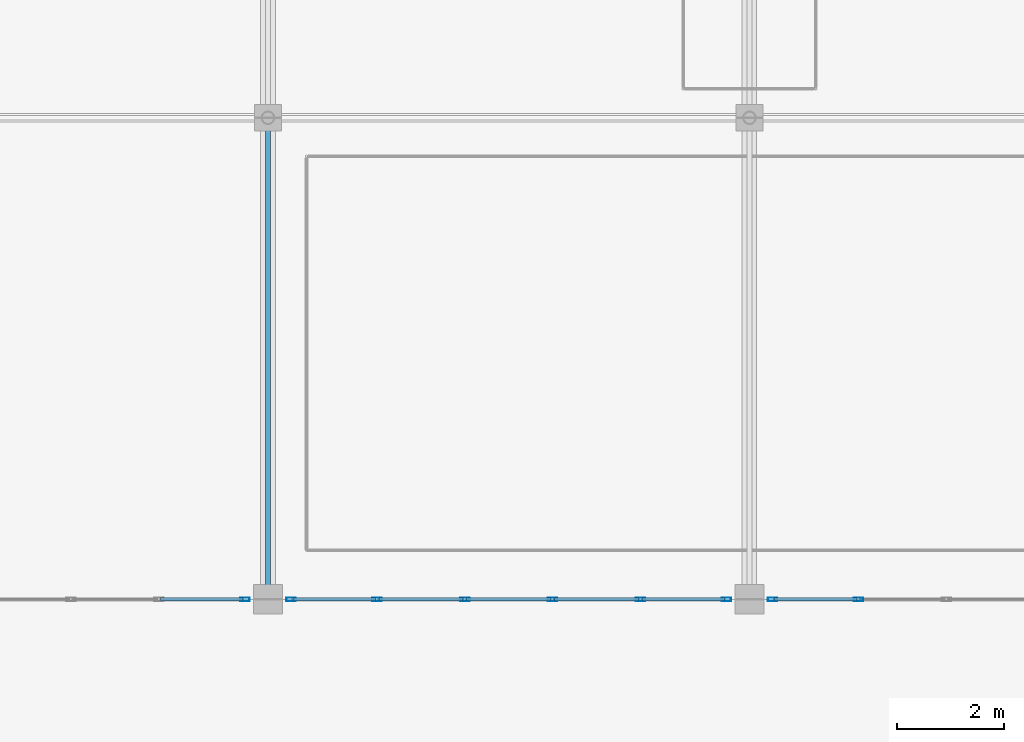
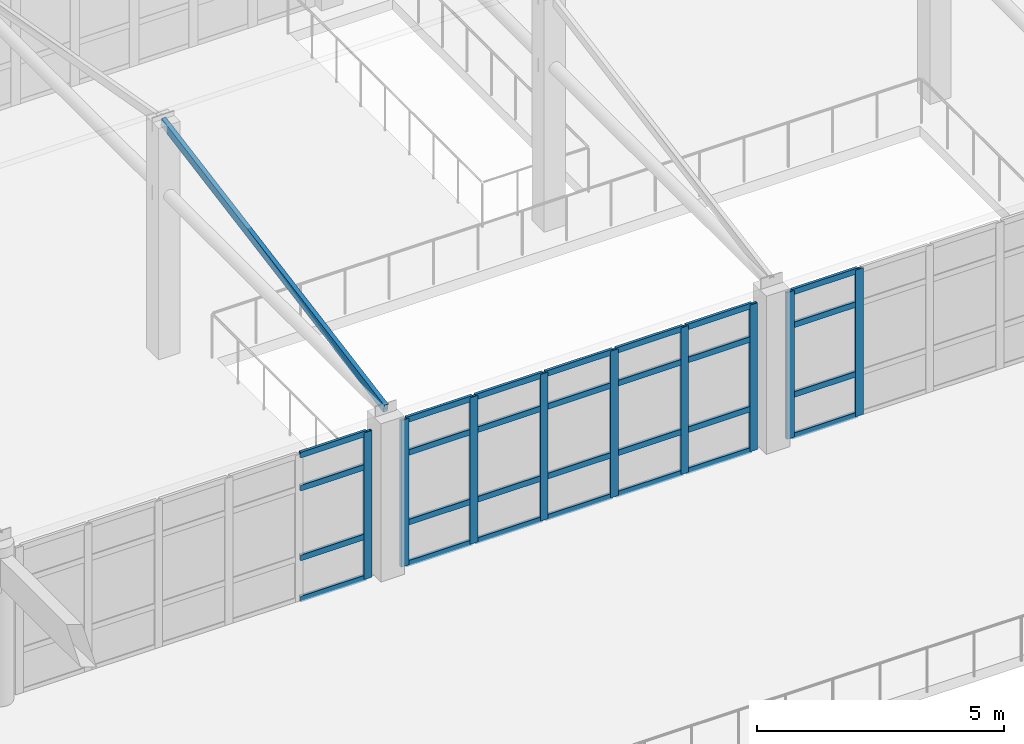
# One storey, part 59 of 156: 38 members, 3 elements without a shape of their own.
"""IFC4 building model written with IfcOpenShell, lengths in metres."""

from ifc_helpers import new_model, si_unit, direction, frame, origin, origin_2d, place, context, subcontext, project, spatial, hollow_rectangle, extrude, material, layer, layer_set, material_profile, profile_set, type_object, element, aggregate, save


model = new_model("IFC4")

# Units and contexts
model_context = context("Model", 3, precision=1e-05, world=origin(), true_north=direction((0.0, 1.0)))
body_context = subcontext(model_context, "Body", "Model", "MODEL_VIEW")
ifc_project = project(units=[si_unit("LENGTHUNIT", "METRE"), si_unit("AREAUNIT", "SQUARE_METRE"), si_unit("VOLUMEUNIT", "CUBIC_METRE"), si_unit("PLANEANGLEUNIT", "RADIAN"), si_unit("MASSUNIT", "GRAM", prefix="KILO")], contexts=[model_context])

# Site, building, storey
site_placement = place(None, origin())
site = spatial("IfcSite", under=ifc_project, at=site_placement, CompositionType="ELEMENT")
building_placement = place(site_placement, origin())
building = spatial("IfcBuilding", under=site, at=building_placement, Name="Ornek Quay Market", CompositionType="ELEMENT")
storey_placement = place(building_placement, frame((0.0, 0.0, 4.5)))
storey = spatial("IfcBuildingStorey", under=building, at=storey_placement, Name="L01", CompositionType="ELEMENT", Elevation=4.5)

# Curtain wall, member
ifc_material_1 = material(Name="Anodised bronze aluminium and triple low-e glass", Category="aluminium")
ifc_layer = layer(ifc_material_1, 0.139892578125, Name="Anodised bronze aluminium and triple low-e glass", Category="aluminium")
ifc_layer_set = layer_set([ifc_layer], Name="Anodised bronze aluminium and triple low-e glass")
curtain_wall_type = type_object("IfcCurtainWallType", Name="CW-GALLERY-INT", PredefinedType="USERDEFINED", material=ifc_layer_set)
curtain_wall_1_placement = place(storey_placement, origin())
curtain_wall_1 = element("IfcCurtainWall", 1, at=curtain_wall_1_placement, inside=storey, type_object=curtain_wall_type, Name="Curtain wall CW-128", ObjectType="CURTAIN WALL", PredefinedType="USERDEFINED")
ifc_material_2 = material(Name="Anodised aluminium 6063-T6", Category="aluminium")
ifc_material_profile_1 = material_profile(ifc_material_2, hollow_rectangle(XDim=0.06494140625, YDim=0.179931640625, WallThickness=0.00439453125, at=origin_2d()), Name="CW-MUL-65x180", Category="aluminium")
ifc_profile_set_1 = profile_set([ifc_material_profile_1], Name="Anodised aluminium 6063-T6")
member_type_1 = type_object("IfcMemberType", Name="CW-MUL-65x180", PredefinedType="MULLION", material=ifc_profile_set_1)
member_1_placement = place(storey_placement, frame((80.5673828125, 92.0, 0.0), z_axis=(0.0, 0.0, 1.0), x_axis=(0.0, 1.0, 0.0)))
member_1 = element("IfcMember", 2, at=member_1_placement, type_object=member_type_1, Name="CW-128 mullion 6", PredefinedType="MULLION", context=body_context, shape_type="SweptSolid", body=[
    extrude(hollow_rectangle(XDim=0.06494140625, YDim=0.179931640625, WallThickness=0.00439453125, at=origin_2d()), origin(), (0.0, 0.0, 1.0), 3.6201171875),
])

# Curtain wall, members
curtain_wall_2_placement = place(storey_placement, origin())
curtain_wall_2 = element("IfcCurtainWall", 3, at=curtain_wall_2_placement, inside=storey, type_object=curtain_wall_type, Name="Curtain wall CW-129", ObjectType="CURTAIN WALL", PredefinedType="USERDEFINED")
member_2_placement = place(storey_placement, frame((81.4326171875, 92.0, 0.0), z_axis=(0.0, 0.0, 1.0), x_axis=(0.0, 1.0, 0.0)))
member_2 = element("IfcMember", 4, at=member_2_placement, type_object=member_type_1, Name="CW-129 mullion 1", PredefinedType="MULLION", context=body_context, shape_type="SweptSolid", body=[
    extrude(hollow_rectangle(XDim=0.06494140625, YDim=0.179931640625, WallThickness=0.00439453125, at=origin_2d()), origin(), (0.0, 0.0, 1.0), 3.6201171875),
])
member_3_placement = place(storey_placement, frame((83.0400390625, 92.0, 0.0), z_axis=(0.0, 0.0, 1.0), x_axis=(0.0, 1.0, 0.0)))
member_3 = element("IfcMember", 5, at=member_3_placement, type_object=member_type_1, Name="CW-129 mullion 2", PredefinedType="MULLION", context=body_context, shape_type="SweptSolid", body=[
    extrude(hollow_rectangle(XDim=0.06494140625, YDim=0.179931640625, WallThickness=0.00439453125, at=origin_2d()), origin(), (0.0, 0.0, 1.0), 3.6201171875),
])
member_4_placement = place(storey_placement, frame((84.679931640625, 92.0, 0.0), z_axis=(0.0, 0.0, 1.0), x_axis=(0.0, 1.0, 0.0)))
member_4 = element("IfcMember", 6, at=member_4_placement, type_object=member_type_1, Name="CW-129 mullion 3", PredefinedType="MULLION", context=body_context, shape_type="SweptSolid", body=[
    extrude(hollow_rectangle(XDim=0.06494140625, YDim=0.179931640625, WallThickness=0.00439453125, at=origin_2d()), origin(), (0.0, 0.0, 1.0), 3.6201171875),
])
member_5_placement = place(storey_placement, frame((86.320068359375, 92.0, 0.0), z_axis=(0.0, 0.0, 1.0), x_axis=(0.0, 1.0, 0.0)))
member_5 = element("IfcMember", 7, at=member_5_placement, type_object=member_type_1, Name="CW-129 mullion 4", PredefinedType="MULLION", context=body_context, shape_type="SweptSolid", body=[
    extrude(hollow_rectangle(XDim=0.06494140625, YDim=0.179931640625, WallThickness=0.00439453125, at=origin_2d()), origin(), (0.0, 0.0, 1.0), 3.6201171875),
])
member_6_placement = place(storey_placement, frame((87.9599609375, 92.0, 0.0), z_axis=(0.0, 0.0, 1.0), x_axis=(0.0, 1.0, 0.0)))
member_6 = element("IfcMember", 8, at=member_6_placement, type_object=member_type_1, Name="CW-129 mullion 5", PredefinedType="MULLION", context=body_context, shape_type="SweptSolid", body=[
    extrude(hollow_rectangle(XDim=0.06494140625, YDim=0.179931640625, WallThickness=0.00439453125, at=origin_2d()), origin(), (0.0, 0.0, 1.0), 3.6201171875),
])
member_7_placement = place(storey_placement, frame((89.5673828125, 92.0, 0.0), z_axis=(0.0, 0.0, 1.0), x_axis=(0.0, 1.0, 0.0)))
member_7 = element("IfcMember", 9, at=member_7_placement, type_object=member_type_1, Name="CW-129 mullion 6", PredefinedType="MULLION", context=body_context, shape_type="SweptSolid", body=[
    extrude(hollow_rectangle(XDim=0.06494140625, YDim=0.179931640625, WallThickness=0.00439453125, at=origin_2d()), origin(), (0.0, 0.0, 1.0), 3.6201171875),
])

curtain_wall_3_placement = place(storey_placement, origin())
curtain_wall_3 = element("IfcCurtainWall", 10, at=curtain_wall_3_placement, inside=storey, type_object=curtain_wall_type, Name="Curtain wall CW-130", ObjectType="CURTAIN WALL", PredefinedType="USERDEFINED")
member_8_placement = place(storey_placement, frame((90.4326171875, 92.0, 0.0), z_axis=(0.0, 0.0, 1.0), x_axis=(0.0, 1.0, 0.0)))
member_8 = element("IfcMember", 11, at=member_8_placement, type_object=member_type_1, Name="CW-130 mullion 1", PredefinedType="MULLION", context=body_context, shape_type="SweptSolid", body=[
    extrude(hollow_rectangle(XDim=0.06494140625, YDim=0.179931640625, WallThickness=0.00439453125, at=origin_2d()), origin(), (0.0, 0.0, 1.0), 3.6201171875),
])
member_9_placement = place(storey_placement, frame((92.0400390625, 92.0, 0.0), z_axis=(0.0, 0.0, 1.0), x_axis=(0.0, 1.0, 0.0)))
member_9 = element("IfcMember", 12, at=member_9_placement, type_object=member_type_1, Name="CW-130 mullion 2", PredefinedType="MULLION", context=body_context, shape_type="SweptSolid", body=[
    extrude(hollow_rectangle(XDim=0.06494140625, YDim=0.179931640625, WallThickness=0.00439453125, at=origin_2d()), origin(), (0.0, 0.0, 1.0), 3.6201171875),
])

# Member
ifc_material_profile_2 = material_profile(ifc_material_2, hollow_rectangle(XDim=0.06494140625, YDim=0.139892578125, WallThickness=0.00439453125, at=origin_2d()), Name="CW-TRN-65x140", Category="aluminium")
ifc_profile_set_2 = profile_set([ifc_material_profile_2], Name="Anodised aluminium 6063-T6")
member_type_2 = type_object("IfcMemberType", Name="CW-TRN-65x140", PredefinedType="USERDEFINED", material=ifc_profile_set_2)
member_10_placement = place(storey_placement, frame((78.992431640625, 92.0, 0.032470703125), z_axis=(1.0, 0.0, 0.0), x_axis=(0.0, 1.0, 0.0)))
member_10 = element("IfcMember", 13, at=member_10_placement, type_object=member_type_2, Name="CW-128 transom 5.1", ObjectType="TRANSOM", PredefinedType="USERDEFINED", context=body_context, shape_type="SweptSolid", body=[
    extrude(hollow_rectangle(XDim=0.06494140625, YDim=0.139892578125, WallThickness=0.00439453125, at=origin_2d()), origin(), (0.0, 0.0, 1.0), 1.54248046875),
])

member_11_placement = place(storey_placement, frame((78.992431640625, 92.0, 1.050048828125), z_axis=(1.0, 0.0, 0.0), x_axis=(0.0, 1.0, 0.0)))
member_11 = element("IfcMember", 14, at=member_11_placement, type_object=member_type_2, Name="CW-128 transom 5.2", ObjectType="TRANSOM", PredefinedType="USERDEFINED", context=body_context, shape_type="SweptSolid", body=[
    extrude(hollow_rectangle(XDim=0.06494140625, YDim=0.139892578125, WallThickness=0.00439453125, at=origin_2d()), origin(), (0.0, 0.0, 1.0), 1.54248046875),
])

member_12_placement = place(storey_placement, frame((78.992431640625, 92.0, 2.77001953125), z_axis=(1.0, 0.0, 0.0), x_axis=(0.0, 1.0, 0.0)))
member_12 = element("IfcMember", 15, at=member_12_placement, type_object=member_type_2, Name="CW-128 transom 5.3", ObjectType="TRANSOM", PredefinedType="USERDEFINED", context=body_context, shape_type="SweptSolid", body=[
    extrude(hollow_rectangle(XDim=0.06494140625, YDim=0.139892578125, WallThickness=0.00439453125, at=origin_2d()), origin(), (0.0, 0.0, 1.0), 1.54248046875),
])

member_13_placement = place(storey_placement, frame((78.992431640625, 92.0, 3.58740234375), z_axis=(1.0, 0.0, 0.0), x_axis=(0.0, 1.0, 0.0)))
member_13 = element("IfcMember", 16, at=member_13_placement, type_object=member_type_2, Name="CW-128 transom 5.4", ObjectType="TRANSOM", PredefinedType="USERDEFINED", context=body_context, shape_type="SweptSolid", body=[
    extrude(hollow_rectangle(XDim=0.06494140625, YDim=0.139892578125, WallThickness=0.00439453125, at=origin_2d()), origin(), (0.0, 0.0, 1.0), 1.54248046875),
])

aggregate(curtain_wall_1, [member_1, member_10, member_11, member_12, member_13])

member_14_placement = place(storey_placement, frame((81.465087890625, 92.0, 0.032470703125), z_axis=(1.0, 0.0, 0.0), x_axis=(0.0, 1.0, 0.0)))
member_14 = element("IfcMember", 17, at=member_14_placement, type_object=member_type_2, Name="CW-129 transom 1.1", ObjectType="TRANSOM", PredefinedType="USERDEFINED", context=body_context, shape_type="SweptSolid", body=[
    extrude(hollow_rectangle(XDim=0.06494140625, YDim=0.139892578125, WallThickness=0.00439453125, at=origin_2d()), origin(), (0.0, 0.0, 1.0), 1.54248046875),
])

member_15_placement = place(storey_placement, frame((81.465087890625, 92.0, 1.050048828125), z_axis=(1.0, 0.0, 0.0), x_axis=(0.0, 1.0, 0.0)))
member_15 = element("IfcMember", 18, at=member_15_placement, type_object=member_type_2, Name="CW-129 transom 1.2", ObjectType="TRANSOM", PredefinedType="USERDEFINED", context=body_context, shape_type="SweptSolid", body=[
    extrude(hollow_rectangle(XDim=0.06494140625, YDim=0.139892578125, WallThickness=0.00439453125, at=origin_2d()), origin(), (0.0, 0.0, 1.0), 1.54248046875),
])

member_16_placement = place(storey_placement, frame((81.465087890625, 92.0, 2.77001953125), z_axis=(1.0, 0.0, 0.0), x_axis=(0.0, 1.0, 0.0)))
member_16 = element("IfcMember", 19, at=member_16_placement, type_object=member_type_2, Name="CW-129 transom 1.3", ObjectType="TRANSOM", PredefinedType="USERDEFINED", context=body_context, shape_type="SweptSolid", body=[
    extrude(hollow_rectangle(XDim=0.06494140625, YDim=0.139892578125, WallThickness=0.00439453125, at=origin_2d()), origin(), (0.0, 0.0, 1.0), 1.54248046875),
])

member_17_placement = place(storey_placement, frame((81.465087890625, 92.0, 3.58740234375), z_axis=(1.0, 0.0, 0.0), x_axis=(0.0, 1.0, 0.0)))
member_17 = element("IfcMember", 20, at=member_17_placement, type_object=member_type_2, Name="CW-129 transom 1.4", ObjectType="TRANSOM", PredefinedType="USERDEFINED", context=body_context, shape_type="SweptSolid", body=[
    extrude(hollow_rectangle(XDim=0.06494140625, YDim=0.139892578125, WallThickness=0.00439453125, at=origin_2d()), origin(), (0.0, 0.0, 1.0), 1.54248046875),
])

member_18_placement = place(storey_placement, frame((83.072509765625, 92.0, 0.032470703125), z_axis=(1.0, 0.0, 0.0), x_axis=(0.0, 1.0, 0.0)))
member_18 = element("IfcMember", 21, at=member_18_placement, type_object=member_type_2, Name="CW-129 transom 2.1", ObjectType="TRANSOM", PredefinedType="USERDEFINED", context=body_context, shape_type="SweptSolid", body=[
    extrude(hollow_rectangle(XDim=0.06494140625, YDim=0.139892578125, WallThickness=0.00439453125, at=origin_2d()), origin(), (0.0, 0.0, 1.0), 1.574951171875),
])

member_19_placement = place(storey_placement, frame((83.072509765625, 92.0, 1.050048828125), z_axis=(1.0, 0.0, 0.0), x_axis=(0.0, 1.0, 0.0)))
member_19 = element("IfcMember", 22, at=member_19_placement, type_object=member_type_2, Name="CW-129 transom 2.2", ObjectType="TRANSOM", PredefinedType="USERDEFINED", context=body_context, shape_type="SweptSolid", body=[
    extrude(hollow_rectangle(XDim=0.06494140625, YDim=0.139892578125, WallThickness=0.00439453125, at=origin_2d()), origin(), (0.0, 0.0, 1.0), 1.574951171875),
])

member_20_placement = place(storey_placement, frame((83.072509765625, 92.0, 2.77001953125), z_axis=(1.0, 0.0, 0.0), x_axis=(0.0, 1.0, 0.0)))
member_20 = element("IfcMember", 23, at=member_20_placement, type_object=member_type_2, Name="CW-129 transom 2.3", ObjectType="TRANSOM", PredefinedType="USERDEFINED", context=body_context, shape_type="SweptSolid", body=[
    extrude(hollow_rectangle(XDim=0.06494140625, YDim=0.139892578125, WallThickness=0.00439453125, at=origin_2d()), origin(), (0.0, 0.0, 1.0), 1.574951171875),
])

member_21_placement = place(storey_placement, frame((83.072509765625, 92.0, 3.58740234375), z_axis=(1.0, 0.0, 0.0), x_axis=(0.0, 1.0, 0.0)))
member_21 = element("IfcMember", 24, at=member_21_placement, type_object=member_type_2, Name="CW-129 transom 2.4", ObjectType="TRANSOM", PredefinedType="USERDEFINED", context=body_context, shape_type="SweptSolid", body=[
    extrude(hollow_rectangle(XDim=0.06494140625, YDim=0.139892578125, WallThickness=0.00439453125, at=origin_2d()), origin(), (0.0, 0.0, 1.0), 1.574951171875),
])

member_22_placement = place(storey_placement, frame((84.71240234375, 92.0, 0.032470703125), z_axis=(1.0, 0.0, 0.0), x_axis=(0.0, 1.0, 0.0)))
member_22 = element("IfcMember", 25, at=member_22_placement, type_object=member_type_2, Name="CW-129 transom 3.1", ObjectType="TRANSOM", PredefinedType="USERDEFINED", context=body_context, shape_type="SweptSolid", body=[
    extrude(hollow_rectangle(XDim=0.06494140625, YDim=0.139892578125, WallThickness=0.00439453125, at=origin_2d()), origin(), (0.0, 0.0, 1.0), 1.5751953125),
])

member_23_placement = place(storey_placement, frame((84.71240234375, 92.0, 1.050048828125), z_axis=(1.0, 0.0, 0.0), x_axis=(0.0, 1.0, 0.0)))
member_23 = element("IfcMember", 26, at=member_23_placement, type_object=member_type_2, Name="CW-129 transom 3.2", ObjectType="TRANSOM", PredefinedType="USERDEFINED", context=body_context, shape_type="SweptSolid", body=[
    extrude(hollow_rectangle(XDim=0.06494140625, YDim=0.139892578125, WallThickness=0.00439453125, at=origin_2d()), origin(), (0.0, 0.0, 1.0), 1.5751953125),
])

member_24_placement = place(storey_placement, frame((84.71240234375, 92.0, 2.77001953125), z_axis=(1.0, 0.0, 0.0), x_axis=(0.0, 1.0, 0.0)))
member_24 = element("IfcMember", 27, at=member_24_placement, type_object=member_type_2, Name="CW-129 transom 3.3", ObjectType="TRANSOM", PredefinedType="USERDEFINED", context=body_context, shape_type="SweptSolid", body=[
    extrude(hollow_rectangle(XDim=0.06494140625, YDim=0.139892578125, WallThickness=0.00439453125, at=origin_2d()), origin(), (0.0, 0.0, 1.0), 1.5751953125),
])

member_25_placement = place(storey_placement, frame((84.71240234375, 92.0, 3.58740234375), z_axis=(1.0, 0.0, 0.0), x_axis=(0.0, 1.0, 0.0)))
member_25 = element("IfcMember", 28, at=member_25_placement, type_object=member_type_2, Name="CW-129 transom 3.4", ObjectType="TRANSOM", PredefinedType="USERDEFINED", context=body_context, shape_type="SweptSolid", body=[
    extrude(hollow_rectangle(XDim=0.06494140625, YDim=0.139892578125, WallThickness=0.00439453125, at=origin_2d()), origin(), (0.0, 0.0, 1.0), 1.5751953125),
])

member_26_placement = place(storey_placement, frame((86.3525390625, 92.0, 0.032470703125), z_axis=(1.0, 0.0, 0.0), x_axis=(0.0, 1.0, 0.0)))
member_26 = element("IfcMember", 29, at=member_26_placement, type_object=member_type_2, Name="CW-129 transom 4.1", ObjectType="TRANSOM", PredefinedType="USERDEFINED", context=body_context, shape_type="SweptSolid", body=[
    extrude(hollow_rectangle(XDim=0.06494140625, YDim=0.139892578125, WallThickness=0.00439453125, at=origin_2d()), origin(), (0.0, 0.0, 1.0), 1.574951171875),
])

member_27_placement = place(storey_placement, frame((86.3525390625, 92.0, 1.050048828125), z_axis=(1.0, 0.0, 0.0), x_axis=(0.0, 1.0, 0.0)))
member_27 = element("IfcMember", 30, at=member_27_placement, type_object=member_type_2, Name="CW-129 transom 4.2", ObjectType="TRANSOM", PredefinedType="USERDEFINED", context=body_context, shape_type="SweptSolid", body=[
    extrude(hollow_rectangle(XDim=0.06494140625, YDim=0.139892578125, WallThickness=0.00439453125, at=origin_2d()), origin(), (0.0, 0.0, 1.0), 1.574951171875),
])

member_28_placement = place(storey_placement, frame((86.3525390625, 92.0, 2.77001953125), z_axis=(1.0, 0.0, 0.0), x_axis=(0.0, 1.0, 0.0)))
member_28 = element("IfcMember", 31, at=member_28_placement, type_object=member_type_2, Name="CW-129 transom 4.3", ObjectType="TRANSOM", PredefinedType="USERDEFINED", context=body_context, shape_type="SweptSolid", body=[
    extrude(hollow_rectangle(XDim=0.06494140625, YDim=0.139892578125, WallThickness=0.00439453125, at=origin_2d()), origin(), (0.0, 0.0, 1.0), 1.574951171875),
])

member_29_placement = place(storey_placement, frame((86.3525390625, 92.0, 3.58740234375), z_axis=(1.0, 0.0, 0.0), x_axis=(0.0, 1.0, 0.0)))
member_29 = element("IfcMember", 32, at=member_29_placement, type_object=member_type_2, Name="CW-129 transom 4.4", ObjectType="TRANSOM", PredefinedType="USERDEFINED", context=body_context, shape_type="SweptSolid", body=[
    extrude(hollow_rectangle(XDim=0.06494140625, YDim=0.139892578125, WallThickness=0.00439453125, at=origin_2d()), origin(), (0.0, 0.0, 1.0), 1.574951171875),
])

member_30_placement = place(storey_placement, frame((87.992431640625, 92.0, 0.032470703125), z_axis=(1.0, 0.0, 0.0), x_axis=(0.0, 1.0, 0.0)))
member_30 = element("IfcMember", 33, at=member_30_placement, type_object=member_type_2, Name="CW-129 transom 5.1", ObjectType="TRANSOM", PredefinedType="USERDEFINED", context=body_context, shape_type="SweptSolid", body=[
    extrude(hollow_rectangle(XDim=0.06494140625, YDim=0.139892578125, WallThickness=0.00439453125, at=origin_2d()), origin(), (0.0, 0.0, 1.0), 1.54248046875),
])

member_31_placement = place(storey_placement, frame((87.992431640625, 92.0, 1.050048828125), z_axis=(1.0, 0.0, 0.0), x_axis=(0.0, 1.0, 0.0)))
member_31 = element("IfcMember", 34, at=member_31_placement, type_object=member_type_2, Name="CW-129 transom 5.2", ObjectType="TRANSOM", PredefinedType="USERDEFINED", context=body_context, shape_type="SweptSolid", body=[
    extrude(hollow_rectangle(XDim=0.06494140625, YDim=0.139892578125, WallThickness=0.00439453125, at=origin_2d()), origin(), (0.0, 0.0, 1.0), 1.54248046875),
])

member_32_placement = place(storey_placement, frame((87.992431640625, 92.0, 2.77001953125), z_axis=(1.0, 0.0, 0.0), x_axis=(0.0, 1.0, 0.0)))
member_32 = element("IfcMember", 35, at=member_32_placement, type_object=member_type_2, Name="CW-129 transom 5.3", ObjectType="TRANSOM", PredefinedType="USERDEFINED", context=body_context, shape_type="SweptSolid", body=[
    extrude(hollow_rectangle(XDim=0.06494140625, YDim=0.139892578125, WallThickness=0.00439453125, at=origin_2d()), origin(), (0.0, 0.0, 1.0), 1.54248046875),
])

member_33_placement = place(storey_placement, frame((87.992431640625, 92.0, 3.58740234375), z_axis=(1.0, 0.0, 0.0), x_axis=(0.0, 1.0, 0.0)))
member_33 = element("IfcMember", 36, at=member_33_placement, type_object=member_type_2, Name="CW-129 transom 5.4", ObjectType="TRANSOM", PredefinedType="USERDEFINED", context=body_context, shape_type="SweptSolid", body=[
    extrude(hollow_rectangle(XDim=0.06494140625, YDim=0.139892578125, WallThickness=0.00439453125, at=origin_2d()), origin(), (0.0, 0.0, 1.0), 1.54248046875),
])

aggregate(curtain_wall_2, [member_2, member_3, member_4, member_5, member_6, member_7, member_14, member_15, member_16, member_17, member_18, member_19, member_20, member_21, member_22, member_23, member_24, member_25, member_26, member_27, member_28, member_29, member_30, member_31, member_32, member_33])

member_34_placement = place(storey_placement, frame((90.465087890625, 92.0, 0.032470703125), z_axis=(1.0, 0.0, 0.0), x_axis=(0.0, 1.0, 0.0)))
member_34 = element("IfcMember", 37, at=member_34_placement, type_object=member_type_2, Name="CW-130 transom 1.1", ObjectType="TRANSOM", PredefinedType="USERDEFINED", context=body_context, shape_type="SweptSolid", body=[
    extrude(hollow_rectangle(XDim=0.06494140625, YDim=0.139892578125, WallThickness=0.00439453125, at=origin_2d()), origin(), (0.0, 0.0, 1.0), 1.54248046875),
])

member_35_placement = place(storey_placement, frame((90.465087890625, 92.0, 1.050048828125), z_axis=(1.0, 0.0, 0.0), x_axis=(0.0, 1.0, 0.0)))
member_35 = element("IfcMember", 38, at=member_35_placement, type_object=member_type_2, Name="CW-130 transom 1.2", ObjectType="TRANSOM", PredefinedType="USERDEFINED", context=body_context, shape_type="SweptSolid", body=[
    extrude(hollow_rectangle(XDim=0.06494140625, YDim=0.139892578125, WallThickness=0.00439453125, at=origin_2d()), origin(), (0.0, 0.0, 1.0), 1.54248046875),
])

member_36_placement = place(storey_placement, frame((90.465087890625, 92.0, 2.77001953125), z_axis=(1.0, 0.0, 0.0), x_axis=(0.0, 1.0, 0.0)))
member_36 = element("IfcMember", 39, at=member_36_placement, type_object=member_type_2, Name="CW-130 transom 1.3", ObjectType="TRANSOM", PredefinedType="USERDEFINED", context=body_context, shape_type="SweptSolid", body=[
    extrude(hollow_rectangle(XDim=0.06494140625, YDim=0.139892578125, WallThickness=0.00439453125, at=origin_2d()), origin(), (0.0, 0.0, 1.0), 1.54248046875),
])

member_37_placement = place(storey_placement, frame((90.465087890625, 92.0, 3.58740234375), z_axis=(1.0, 0.0, 0.0), x_axis=(0.0, 1.0, 0.0)))
member_37 = element("IfcMember", 40, at=member_37_placement, type_object=member_type_2, Name="CW-130 transom 1.4", ObjectType="TRANSOM", PredefinedType="USERDEFINED", context=body_context, shape_type="SweptSolid", body=[
    extrude(hollow_rectangle(XDim=0.06494140625, YDim=0.139892578125, WallThickness=0.00439453125, at=origin_2d()), origin(), (0.0, 0.0, 1.0), 1.54248046875),
])

aggregate(curtain_wall_3, [member_8, member_9, member_34, member_35, member_36, member_37])

ifc_material_3 = material(Name="Steel S355", Category="steel")
ifc_material_profile_3 = material_profile(ifc_material_3, hollow_rectangle(XDim=0.10009765625, YDim=0.199951171875, WallThickness=0.008056640625, at=origin_2d()), Name="MBR-RAF-100x200", Category="steel")
ifc_profile_set_3 = profile_set([ifc_material_profile_3], Name="Steel S355")
member_type_3 = type_object("IfcMemberType", Name="MBR-RAF-100x200", PredefinedType="RAFTER", material=ifc_profile_set_3)
member_38_placement = place(storey_placement, frame((81.0, 92.0, 4.030029296875), z_axis=(0.0, 0.984185744367, 0.177139551158), x_axis=(-1.0, 0.0, 0.0)))
element("IfcMember", 41, at=member_38_placement, inside=storey, type_object=member_type_3, Name="Concourse skylight rafter C-81-S", PredefinedType="RAFTER", context=body_context, shape_type="SweptSolid", body=[
    extrude(hollow_rectangle(XDim=0.10009765625, YDim=0.199951171875, WallThickness=0.008056640625, at=origin_2d()), origin(), (0.0, 0.0, 1.0), 9.14453125),
])

save(model, "model.ifc")
